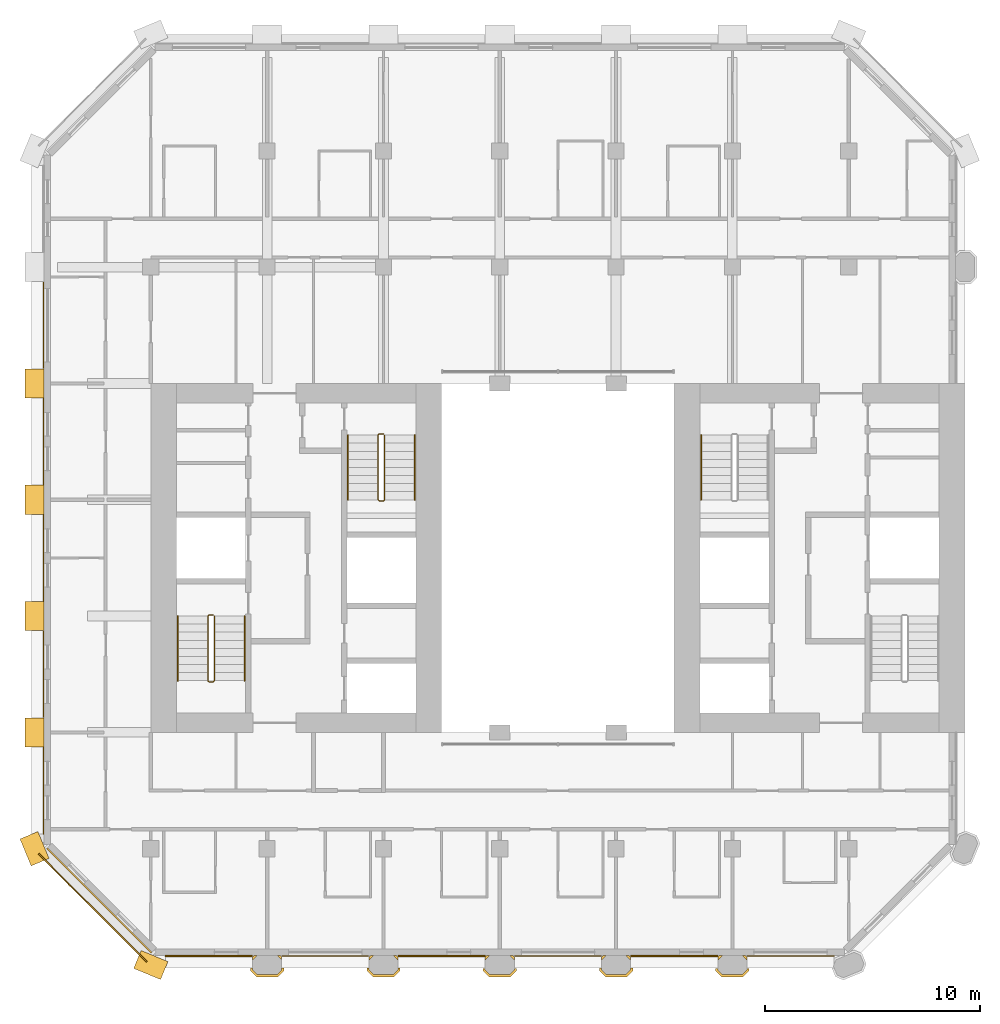
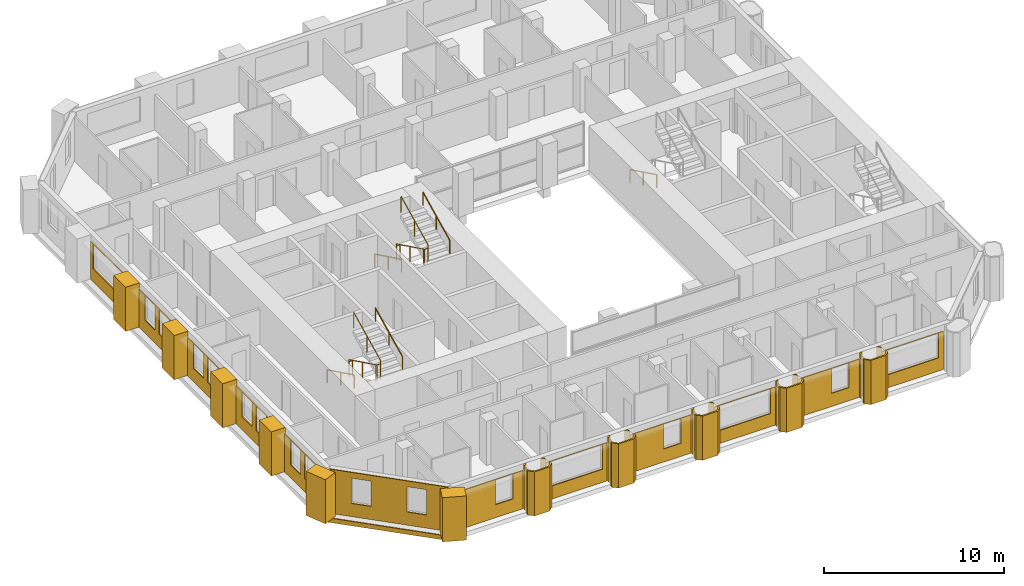
# One storey, part 12 of 13: 34 coverings, 7 railings.
"""IFC4 building model written with IfcOpenShell, lengths in metres."""

from ifc_helpers import new_model, si_unit, direction, frame, frame_2d, origin, origin_2d, place, context, subcontext, project, spatial, polyline, rectangle, circle, outline, extrude, material, layer, layer_set, type_object, element, save


model = new_model("IFC4")

# Units and contexts
model_context = context("Model", 3, precision=1e-05, world=origin(), true_north=direction((0.0, 1.0)))
body_context = subcontext(model_context, "Body", "Model", "MODEL_VIEW")
ifc_project = project(units=[si_unit("LENGTHUNIT", "METRE"), si_unit("AREAUNIT", "SQUARE_METRE"), si_unit("VOLUMEUNIT", "CUBIC_METRE"), si_unit("PLANEANGLEUNIT", "RADIAN"), si_unit("MASSUNIT", "GRAM", prefix="KILO")], contexts=[model_context])

# Site, building, storey
site_placement = place(None, origin())
site = spatial("IfcSite", under=ifc_project, at=site_placement, CompositionType="ELEMENT")
building_placement = place(site_placement, origin())
building = spatial("IfcBuilding", under=site, at=building_placement, Name="Tabaq Tower and Sports Hall", CompositionType="ELEMENT")
storey_placement = place(building_placement, frame((0.0, 0.0, 210.39990234375)))
storey = spatial("IfcBuildingStorey", under=building, at=storey_placement, Name="L52", CompositionType="ELEMENT", Elevation=210.39990234375)

# Coverings
ifc_material_1 = material(Name="Precast concrete C60/75", Category="concrete")
ifc_layer_1 = layer(ifc_material_1, 0.10009765625)
ifc_layer_set_1 = layer_set([ifc_layer_1], Name="Column cladding 100")
covering_type_1 = type_object("IfcCoveringType", Name="Column cladding 100", PredefinedType="CLADDING", material=ifc_layer_set_1)
covering_1_placement = place(storey_placement, origin())
element("IfcCovering", 1, at=covering_1_placement, inside=storey, type_object=covering_type_1, Name="Column cladding L52 PC-3B-H3", PredefinedType="CLADDING", context=body_context, shape_type="SweptSolid", body=[
    extrude(outline(polyline([(10.025390625, 5.249755859375), (10.124755859375, 5.249755859375), (10.124755859375, 5.1748046875), (10.349853515625, 4.94970703125), (11.250244140625, 4.94970703125), (11.475341796875, 5.1748046875), (11.475341796875, 5.249755859375), (11.57470703125, 5.249755859375), (11.57470703125, 5.1337890625), (11.291259765625, 4.850341796875), (10.30859375, 4.850341796875), (10.025390625, 5.1337890625), (10.025390625, 5.249755859375)])), origin(), (0.0, 0.0, 1.0), 3.0),
])
covering_2_placement = place(storey_placement, origin())
element("IfcCovering", 2, at=covering_2_placement, inside=storey, type_object=covering_type_1, Name="Column cladding L52 PC-3B-H3 2", PredefinedType="CLADDING", context=body_context, shape_type="SweptSolid", body=[
    extrude(outline(polyline([(10.208740234375, 5.849609375), (10.349365234375, 5.849609375), (10.125244140625, 5.625732421875), (10.125244140625, 5.766357421875), (10.208740234375, 5.849609375)])), origin(), (0.0, 0.0, 1.0), 3.0),
])
covering_3_placement = place(storey_placement, origin())
element("IfcCovering", 3, at=covering_3_placement, inside=storey, type_object=covering_type_1, Name="Column cladding L52 PC-3B-H3 3", PredefinedType="CLADDING", context=body_context, shape_type="SweptSolid", body=[
    extrude(outline(polyline([(11.474609375, 5.766357421875), (11.474609375, 5.625732421875), (11.250732421875, 5.849609375), (11.391357421875, 5.849609375), (11.474609375, 5.766357421875)])), origin(), (0.0, 0.0, 1.0), 3.0),
])
covering_4_placement = place(storey_placement, origin())
element("IfcCovering", 4, at=covering_4_placement, inside=storey, type_object=covering_type_1, Name="Column cladding L52 PC-4B-H3", PredefinedType="CLADDING", context=body_context, shape_type="SweptSolid", body=[
    extrude(outline(polyline([(15.42529296875, 5.249755859375), (15.524658203125, 5.249755859375), (15.524658203125, 5.1748046875), (15.749755859375, 4.94970703125), (16.650146484375, 4.94970703125), (16.875244140625, 5.1748046875), (16.875244140625, 5.249755859375), (16.974609375, 5.249755859375), (16.974609375, 5.1337890625), (16.69140625, 4.850341796875), (15.708740234375, 4.850341796875), (15.42529296875, 5.1337890625), (15.42529296875, 5.249755859375)])), origin(), (0.0, 0.0, 1.0), 3.0),
])
covering_5_placement = place(storey_placement, origin())
element("IfcCovering", 5, at=covering_5_placement, inside=storey, type_object=covering_type_1, Name="Column cladding L52 PC-4B-H3 2", PredefinedType="CLADDING", context=body_context, shape_type="SweptSolid", body=[
    extrude(outline(polyline([(16.874755859375, 5.766357421875), (16.874755859375, 5.625732421875), (16.650634765625, 5.849609375), (16.791259765625, 5.849609375), (16.874755859375, 5.766357421875)])), origin(), (0.0, 0.0, 1.0), 3.0),
])
covering_6_placement = place(storey_placement, origin())
element("IfcCovering", 6, at=covering_6_placement, inside=storey, type_object=covering_type_1, Name="Column cladding L52 PC-4B-H3 3", PredefinedType="CLADDING", context=body_context, shape_type="SweptSolid", body=[
    extrude(outline(polyline([(15.608642578125, 5.849609375), (15.749267578125, 5.849609375), (15.525390625, 5.625732421875), (15.525390625, 5.766357421875), (15.608642578125, 5.849609375)])), origin(), (0.0, 0.0, 1.0), 3.0),
])
covering_7_placement = place(storey_placement, origin())
element("IfcCovering", 7, at=covering_7_placement, inside=storey, type_object=covering_type_1, Name="Column cladding L52 PC-5B-H3", PredefinedType="CLADDING", context=body_context, shape_type="SweptSolid", body=[
    extrude(outline(polyline([(20.82568359375, 5.24951171875), (20.92431640625, 5.24951171875), (20.92431640625, 5.1748046875), (21.149658203125, 4.949462890625), (22.05029296875, 4.949462890625), (22.275634765625, 5.1748046875), (22.275634765625, 5.24951171875), (22.37451171875, 5.24951171875), (22.37451171875, 5.1337890625), (22.091064453125, 4.8505859375), (21.10888671875, 4.8505859375), (20.82568359375, 5.1337890625), (20.82568359375, 5.24951171875)])), origin(), (0.0, 0.0, 1.0), 3.0),
])
covering_8_placement = place(storey_placement, origin())
element("IfcCovering", 8, at=covering_8_placement, inside=storey, type_object=covering_type_1, Name="Column cladding L52 PC-5B-H3 2", PredefinedType="CLADDING", context=body_context, shape_type="SweptSolid", body=[
    extrude(outline(polyline([(22.274658203125, 5.766357421875), (22.274658203125, 5.625732421875), (22.05078125, 5.849609375), (22.19140625, 5.849609375), (22.274658203125, 5.766357421875)])), origin(), (0.0, 0.0, 1.0), 3.0),
])
covering_9_placement = place(storey_placement, origin())
element("IfcCovering", 9, at=covering_9_placement, inside=storey, type_object=covering_type_1, Name="Column cladding L52 PC-5B-H3 3", PredefinedType="CLADDING", context=body_context, shape_type="SweptSolid", body=[
    extrude(outline(polyline([(20.925537109375, 5.62646484375), (20.925537109375, 5.76611328125), (21.0087890625, 5.849365234375), (21.1484375, 5.849365234375), (20.925537109375, 5.62646484375)])), origin(), (0.0, 0.0, 1.0), 3.0),
])
covering_10_placement = place(storey_placement, origin())
element("IfcCovering", 10, at=covering_10_placement, inside=storey, type_object=covering_type_1, Name="Column cladding L52 PC-6B-H3", PredefinedType="CLADDING", context=body_context, shape_type="SweptSolid", body=[
    extrude(outline(polyline([(26.225341796875, 5.249755859375), (26.32470703125, 5.249755859375), (26.32470703125, 5.1748046875), (26.5498046875, 4.94970703125), (27.4501953125, 4.94970703125), (27.67529296875, 5.1748046875), (27.67529296875, 5.249755859375), (27.774658203125, 5.249755859375), (27.774658203125, 5.1337890625), (27.4912109375, 4.850341796875), (26.5087890625, 4.850341796875), (26.225341796875, 5.1337890625), (26.225341796875, 5.249755859375)])), origin(), (0.0, 0.0, 1.0), 3.0),
])
covering_11_placement = place(storey_placement, origin())
element("IfcCovering", 11, at=covering_11_placement, inside=storey, type_object=covering_type_1, Name="Column cladding L52 PC-6B-H3 2", PredefinedType="CLADDING", context=body_context, shape_type="SweptSolid", body=[
    extrude(outline(polyline([(26.40869140625, 5.849609375), (26.54931640625, 5.849609375), (26.3251953125, 5.625732421875), (26.3251953125, 5.766357421875), (26.40869140625, 5.849609375)])), origin(), (0.0, 0.0, 1.0), 3.0),
])
covering_12_placement = place(storey_placement, origin())
element("IfcCovering", 12, at=covering_12_placement, inside=storey, type_object=covering_type_1, Name="Column cladding L52 PC-6B-H3 3", PredefinedType="CLADDING", context=body_context, shape_type="SweptSolid", body=[
    extrude(outline(polyline([(27.6748046875, 5.766357421875), (27.6748046875, 5.625732421875), (27.45068359375, 5.849609375), (27.59130859375, 5.849609375), (27.6748046875, 5.766357421875)])), origin(), (0.0, 0.0, 1.0), 3.0),
])
covering_13_placement = place(storey_placement, origin())
element("IfcCovering", 13, at=covering_13_placement, inside=storey, type_object=covering_type_1, Name="Column cladding L52 PC-7B-H3", PredefinedType="CLADDING", context=body_context, shape_type="SweptSolid", body=[
    extrude(outline(polyline([(31.62548828125, 5.24951171875), (31.724365234375, 5.24951171875), (31.724365234375, 5.1748046875), (31.94970703125, 4.949462890625), (32.850341796875, 4.949462890625), (33.07568359375, 5.1748046875), (33.07568359375, 5.24951171875), (33.17431640625, 5.24951171875), (33.17431640625, 5.1337890625), (32.89111328125, 4.8505859375), (31.908935546875, 4.8505859375), (31.62548828125, 5.1337890625), (31.62548828125, 5.24951171875)])), origin(), (0.0, 0.0, 1.0), 3.0),
])
covering_14_placement = place(storey_placement, origin())
element("IfcCovering", 14, at=covering_14_placement, inside=storey, type_object=covering_type_1, Name="Column cladding L52 PC-7B-H3 2", PredefinedType="CLADDING", context=body_context, shape_type="SweptSolid", body=[
    extrude(outline(polyline([(31.80859375, 5.849609375), (31.94921875, 5.849609375), (31.725341796875, 5.625732421875), (31.725341796875, 5.766357421875), (31.80859375, 5.849609375)])), origin(), (0.0, 0.0, 1.0), 3.0),
])
covering_15_placement = place(storey_placement, origin())
element("IfcCovering", 15, at=covering_15_placement, inside=storey, type_object=covering_type_1, Name="Column cladding L52 PC-7B-H3 3", PredefinedType="CLADDING", context=body_context, shape_type="SweptSolid", body=[
    extrude(outline(polyline([(33.074462890625, 5.62646484375), (32.8515625, 5.849365234375), (32.9912109375, 5.849365234375), (33.074462890625, 5.76611328125), (33.074462890625, 5.62646484375)])), origin(), (0.0, 0.0, 1.0), 3.0),
])
ifc_material_2 = material(Name="Precast concrete C60/75", Category="concrete")
ifc_layer_2 = layer(ifc_material_2, 0.06005859375)
ifc_layer_set_2 = layer_set([ifc_layer_2], Name="Edge beam cladding 60")
covering_type_2 = type_object("IfcCoveringType", Name="Edge beam cladding 60", PredefinedType="CLADDING", material=ifc_layer_set_2)
covering_16_placement = place(storey_placement, frame((0.18994140625, 10.567626953125, -0.2998046875), z_axis=(0.0, 0.0, 1.0), x_axis=(0.707106781187, -0.707106781187, 0.0)))
element("IfcCovering", 16, at=covering_16_placement, inside=storey, type_object=covering_type_2, Name="Edge beam cladding L52 5", PredefinedType="CLADDING", context=body_context, shape_type="SweptSolid", body=[
    extrude(rectangle(XDim=7.087890625, YDim=0.06005859375, at=frame_2d((3.5439453125, 0.0))), origin(), (0.0, 0.0, 1.0), 0.2998046875),
])
ifc_material_3 = material(Name="White precast concrete C60/75", Category="concrete")
covering_type_3 = type_object("IfcCoveringType", Name="Pier cladding hung 1350x900", PredefinedType="CLADDING", material=ifc_material_3)
for number, where, z_axis, x_axis, name in (
    (17, (-0.25830078125, 11.423583984375, 0.0), (0.0, 0.0, 1.0), (0.382649923473, -0.923893411637, 0.0), "Hung pier cladding 0/2"),
    (18, (0.0, 16.875, 0.0), (0.0, 0.0, 1.0), (0.0, -1.0, 0.0), "Hung pier cladding 0/3"),
):
    element("IfcCovering", number, at=place(storey_placement, frame(where, z_axis=z_axis, x_axis=x_axis)), inside=storey, type_object=covering_type_3, Name=name, PredefinedType="CLADDING", context=body_context, shape_type="SweptSolid", body=[
        extrude(rectangle(XDim=1.35009765625, YDim=0.89990234375, at=frame_2d((0.675048828125, 0.0))), origin(), (0.0, 0.0, 1.0), 3.0),
    ])
covering_17_placement = place(storey_placement, frame((0.0, 22.27490234375, 0.0), z_axis=(0.0, 0.0, 1.0), x_axis=(0.0, -1.0, 0.0)))
element("IfcCovering", 19, at=covering_17_placement, inside=storey, type_object=covering_type_3, Name="Hung pier cladding 0/4", PredefinedType="CLADDING", context=body_context, shape_type="SweptSolid", body=[
    extrude(rectangle(XDim=1.349853515625, YDim=0.89990234375, at=frame_2d((0.6748046875, 0.0))), origin(), (0.0, 0.0, 1.0), 3.0),
])
covering_18_placement = place(storey_placement, frame((0.0, 27.675048828125, 0.0), z_axis=(0.0, 0.0, 1.0), x_axis=(0.0, -1.0, 0.0)))
element("IfcCovering", 20, at=covering_18_placement, inside=storey, type_object=covering_type_3, Name="Hung pier cladding 0/5", PredefinedType="CLADDING", context=body_context, shape_type="SweptSolid", body=[
    extrude(rectangle(XDim=1.35009765625, YDim=0.89990234375, at=frame_2d((0.675048828125, 0.0))), origin(), (0.0, 0.0, 1.0), 3.0),
])
covering_19_placement = place(storey_placement, frame((0.0, 33.074951171875, 0.0), z_axis=(0.0, 0.0, 1.0), x_axis=(0.0, -1.0, 0.0)))
element("IfcCovering", 21, at=covering_19_placement, inside=storey, type_object=covering_type_3, Name="Hung pier cladding 0/6", PredefinedType="CLADDING", context=body_context, shape_type="SweptSolid", body=[
    extrude(rectangle(XDim=1.349853515625, YDim=0.89990234375, at=frame_2d((0.6748046875, 0.0))), origin(), (0.0, 0.0, 1.0), 3.0),
])
covering_20_placement = place(storey_placement, frame((4.7763671875, 5.658203125, 0.0), z_axis=(0.0, 0.0, 1.0), x_axis=(0.923893411637, -0.382649923473, 0.0)))
element("IfcCovering", 22, at=covering_20_placement, inside=storey, type_object=covering_type_3, Name="Hung pier cladding 1/1", PredefinedType="CLADDING", context=body_context, shape_type="SweptSolid", body=[
    extrude(rectangle(XDim=1.35009765625, YDim=0.89990234375, at=frame_2d((0.675048828125, 0.0))), origin(), (0.0, 0.0, 1.0), 3.0),
])

# Railings
ifc_material_4 = material(Name="Stainless steel", Category="steel")
railing_type_1 = type_object("IfcRailingType", Name="Stair guard", PredefinedType="GUARDRAIL", material=ifc_material_4)
railing_1_placement = place(storey_placement, frame((8.300048828125, 21.64990234375, 0.0)))
element("IfcRailing", 23, at=railing_1_placement, inside=storey, type_object=railing_type_1, Name="L52 ST1 stair guard 1", PredefinedType="GUARDRAIL", context=body_context, shape_type="SweptSolid", body=[
    extrude(circle(Radius=0.02392578125, at=origin_2d()), frame((0.0, 0.0, 1.076171875), z_axis=(-1.0, 0.0, 0.0), x_axis=(0.0, -1.0, 0.0)), (0.0, 0.0, 1.0), 0.199951171875),
    extrude(circle(Radius=0.02392578125, at=origin_2d()), frame((-0.199951171875, 0.0, 1.076171875), z_axis=(-0.254733673405, -0.25349107012, 0.933195066962), x_axis=(0.705375805398, -0.708833529934, 0.0)), (0.0, 0.0, 1.0), 0.196533203125),
    extrude(circle(Radius=0.02392578125, at=origin_2d()), frame((-0.25, -0.0498046875, 1.25927734375), z_axis=(0.0, -0.898368975038, 0.439241601728), x_axis=(1.0, 0.0, 0.0)), (0.0, 0.0, 1.0), 3.33935546875),
    extrude(circle(Radius=0.02392578125, at=origin_2d()), frame((-0.25, -3.0498046875, 2.72607421875), z_axis=(0.707106781187, -0.707106781187, 0.0), x_axis=(0.707106781187, 0.707106781187, 0.0)), (0.0, 0.0, 1.0), 0.07080078125),
    extrude(circle(Radius=0.02392578125, at=origin_2d()), frame((-0.199951171875, -3.099853515625, 2.72607421875), z_axis=(1.0, 0.0, 0.0), x_axis=(0.0, 1.0, 0.0)), (0.0, 0.0, 1.0), 0.199951171875),
    extrude(circle(Radius=0.02392578125, at=origin_2d()), frame((0.0, -3.099853515625, 2.72607421875), z_axis=(0.254653276557, 0.254653276557, 0.932900539971), x_axis=(-0.707106781187, 0.707106781187, 0.0)), (0.0, 0.0, 1.0), 0.196533203125),
    extrude(circle(Radius=0.02392578125, at=origin_2d()), frame((0.050048828125, -3.0498046875, 2.90966796875), z_axis=(0.0, 0.898397823093, 0.439182594671), x_axis=(-1.0, 0.0, 0.0)), (0.0, 0.0, 1.0), 3.33935546875),
    extrude(circle(Radius=0.02099609375, at=origin_2d()), origin(), (0.0, 0.0, 1.0), 1.052001953125),
    extrude(circle(Radius=0.02099609375, at=origin_2d()), frame((-0.199951171875, 0.0, 0.0)), (0.0, 0.0, 1.0), 1.052001953125),
    extrude(circle(Radius=0.02099609375, at=origin_2d()), frame((-0.25, -0.0498046875, 0.183349609375)), (0.0, 0.0, 1.0), 1.052001953125),
    extrude(circle(Radius=0.02099609375, at=origin_2d()), frame((-0.25, -1.5498046875, 0.916748046875)), (0.0, 0.0, 1.0), 1.052001953125),
    extrude(circle(Radius=0.02099609375, at=origin_2d()), frame((-0.25, -3.0498046875, 1.650146484375)), (0.0, 0.0, 1.0), 1.052001953125),
    extrude(circle(Radius=0.02099609375, at=origin_2d()), frame((-0.199951171875, -3.099853515625, 1.650146484375)), (0.0, 0.0, 1.0), 1.052001953125),
    extrude(circle(Radius=0.02099609375, at=origin_2d()), frame((0.0, -3.099853515625, 1.650146484375)), (0.0, 0.0, 1.0), 1.052001953125),
    extrude(circle(Radius=0.02099609375, at=origin_2d()), frame((0.050048828125, -3.0498046875, 1.83349609375)), (0.0, 0.0, 1.0), 1.052001953125),
    extrude(circle(Radius=0.02099609375, at=origin_2d()), frame((0.050048828125, -1.5498046875, 2.56689453125)), (0.0, 0.0, 1.0), 1.052001953125),
    extrude(circle(Radius=0.02099609375, at=origin_2d()), frame((0.050048828125, -0.0498046875, 3.300048828125)), (0.0, 0.0, 1.0), 1.052001953125),
])
railing_2_placement = place(storey_placement, frame((16.199951171875, 30.050048828125, 0.0)))
element("IfcRailing", 24, at=railing_2_placement, inside=storey, type_object=railing_type_1, Name="L52 ST2 stair guard 1", PredefinedType="GUARDRAIL", context=body_context, shape_type="SweptSolid", body=[
    extrude(circle(Radius=0.02392578125, at=origin_2d()), frame((0.0, 0.0, 1.076171875), z_axis=(-1.0, 0.0, 0.0), x_axis=(0.0, -1.0, 0.0)), (0.0, 0.0, 1.0), 0.199951171875),
    extrude(circle(Radius=0.02392578125, at=origin_2d()), frame((-0.199951171875, 0.0, 1.076171875), z_axis=(-0.254653276557, -0.254653276557, 0.932900539971), x_axis=(0.707106781187, -0.707106781187, 0.0)), (0.0, 0.0, 1.0), 0.196533203125),
    extrude(circle(Radius=0.02392578125, at=origin_2d()), frame((-0.25, -0.050048828125, 1.25927734375), z_axis=(0.0, -0.898368975038, 0.439241601728), x_axis=(1.0, 0.0, 0.0)), (0.0, 0.0, 1.0), 3.33935546875),
    extrude(circle(Radius=0.02392578125, at=origin_2d()), frame((-0.25, -3.050048828125, 2.72607421875), z_axis=(0.707106781187, -0.707106781187, 0.0), x_axis=(0.707106781187, 0.707106781187, 0.0)), (0.0, 0.0, 1.0), 0.07080078125),
    extrude(circle(Radius=0.02392578125, at=origin_2d()), frame((-0.199951171875, -3.10009765625, 2.72607421875), z_axis=(1.0, 0.0, 0.0), x_axis=(0.0, 1.0, 0.0)), (0.0, 0.0, 1.0), 0.199951171875),
    extrude(circle(Radius=0.02392578125, at=origin_2d()), frame((0.0, -3.10009765625, 2.72607421875), z_axis=(0.254653276557, 0.254653276557, 0.932900539971), x_axis=(-0.707106781187, 0.707106781187, 0.0)), (0.0, 0.0, 1.0), 0.196533203125),
    extrude(circle(Radius=0.02392578125, at=origin_2d()), frame((0.050048828125, -3.050048828125, 2.90966796875), z_axis=(0.0, 0.898397823093, 0.439182594671), x_axis=(-1.0, 0.0, 0.0)), (0.0, 0.0, 1.0), 3.33935546875),
    extrude(circle(Radius=0.02099609375, at=origin_2d()), origin(), (0.0, 0.0, 1.0), 1.052001953125),
    extrude(circle(Radius=0.02099609375, at=origin_2d()), frame((-0.199951171875, 0.0, 0.0)), (0.0, 0.0, 1.0), 1.052001953125),
    extrude(circle(Radius=0.02099609375, at=origin_2d()), frame((-0.25, -0.050048828125, 0.183349609375)), (0.0, 0.0, 1.0), 1.052001953125),
    extrude(circle(Radius=0.02099609375, at=origin_2d()), frame((-0.25, -1.550048828125, 0.916748046875)), (0.0, 0.0, 1.0), 1.052001953125),
    extrude(circle(Radius=0.02099609375, at=origin_2d()), frame((-0.25, -3.050048828125, 1.650146484375)), (0.0, 0.0, 1.0), 1.052001953125),
    extrude(circle(Radius=0.02099609375, at=origin_2d()), frame((-0.199951171875, -3.10009765625, 1.650146484375)), (0.0, 0.0, 1.0), 1.052001953125),
    extrude(circle(Radius=0.02099609375, at=origin_2d()), frame((0.0, -3.10009765625, 1.650146484375)), (0.0, 0.0, 1.0), 1.052001953125),
    extrude(circle(Radius=0.02099609375, at=origin_2d()), frame((0.050048828125, -3.050048828125, 1.83349609375)), (0.0, 0.0, 1.0), 1.052001953125),
    extrude(circle(Radius=0.02099609375, at=origin_2d()), frame((0.050048828125, -1.550048828125, 2.56689453125)), (0.0, 0.0, 1.0), 1.052001953125),
    extrude(circle(Radius=0.02099609375, at=origin_2d()), frame((0.050048828125, -0.050048828125, 3.300048828125)), (0.0, 0.0, 1.0), 1.052001953125),
])
ifc_material_5 = material(Name="Stainless steel", Category="steel")
railing_type_2 = type_object("IfcRailingType", Name="Stair handrail", PredefinedType="HANDRAIL", material=ifc_material_5)
railing_3_placement = place(storey_placement, frame((6.64990234375, 21.60009765625, 0.183349609375)))
element("IfcRailing", 25, at=railing_3_placement, inside=storey, type_object=railing_type_2, Name="L52 ST1 stair handrail 1", PredefinedType="HANDRAIL", context=body_context, shape_type="SweptSolid", body=[
    extrude(circle(Radius=0.02392578125, at=origin_2d()), frame((0.0, 0.0, 0.8759765625), z_axis=(0.0, -0.898368975038, 0.439241601728), x_axis=(1.0, 0.0, 0.0)), (0.0, 0.0, 1.0), 3.33935546875),
    extrude(circle(Radius=0.02099609375, at=origin_2d()), origin(), (0.0, 0.0, 1.0), 0.851806640625),
    extrude(circle(Radius=0.02099609375, at=origin_2d()), frame((0.0, -1.5, 0.7333984375)), (0.0, 0.0, 1.0), 0.851806640625),
    extrude(circle(Radius=0.02099609375, at=origin_2d()), frame((0.0, -3.0, 1.466796875)), (0.0, 0.0, 1.0), 0.851806640625),
])
railing_4_placement = place(storey_placement, frame((9.75, 18.60009765625, 1.83349609375)))
element("IfcRailing", 26, at=railing_4_placement, inside=storey, type_object=railing_type_2, Name="L52 ST1 stair handrail 2", PredefinedType="HANDRAIL", context=body_context, shape_type="SweptSolid", body=[
    extrude(circle(Radius=0.02392578125, at=origin_2d()), frame((0.0, 0.0, 0.8759765625), z_axis=(0.0, 0.898397823093, 0.439182594671), x_axis=(-1.0, 0.0, 0.0)), (0.0, 0.0, 1.0), 3.33935546875),
    extrude(circle(Radius=0.02099609375, at=origin_2d()), origin(), (0.0, 0.0, 1.0), 0.851806640625),
    extrude(circle(Radius=0.02099609375, at=origin_2d()), frame((0.0, 1.5, 0.7333984375)), (0.0, 0.0, 1.0), 0.851806640625),
    extrude(circle(Radius=0.02099609375, at=origin_2d()), frame((0.0, 3.0, 1.466552734375)), (0.0, 0.0, 1.0), 0.851806640625),
])
railing_5_placement = place(storey_placement, frame((14.550048828125, 30.0, 0.183349609375)))
element("IfcRailing", 27, at=railing_5_placement, inside=storey, type_object=railing_type_2, Name="L52 ST2 stair handrail 1", PredefinedType="HANDRAIL", context=body_context, shape_type="SweptSolid", body=[
    extrude(circle(Radius=0.02392578125, at=origin_2d()), frame((0.0, 0.0, 0.8759765625), z_axis=(0.0, -0.898368975038, 0.439241601728), x_axis=(1.0, 0.0, 0.0)), (0.0, 0.0, 1.0), 3.33935546875),
    extrude(circle(Radius=0.02099609375, at=origin_2d()), origin(), (0.0, 0.0, 1.0), 0.851806640625),
    extrude(circle(Radius=0.02099609375, at=origin_2d()), frame((0.0, -1.5, 0.7333984375)), (0.0, 0.0, 1.0), 0.851806640625),
    extrude(circle(Radius=0.02099609375, at=origin_2d()), frame((0.0, -3.0, 1.466796875)), (0.0, 0.0, 1.0), 0.851806640625),
])
railing_6_placement = place(storey_placement, frame((17.64990234375, 27.0, 1.83349609375)))
element("IfcRailing", 28, at=railing_6_placement, inside=storey, type_object=railing_type_2, Name="L52 ST2 stair handrail 2", PredefinedType="HANDRAIL", context=body_context, shape_type="SweptSolid", body=[
    extrude(circle(Radius=0.02392578125, at=origin_2d()), frame((0.0, 0.0, 0.8759765625), z_axis=(0.0, 0.898397823093, 0.439182594671), x_axis=(-1.0, 0.0, 0.0)), (0.0, 0.0, 1.0), 3.33935546875),
    extrude(circle(Radius=0.02099609375, at=origin_2d()), origin(), (0.0, 0.0, 1.0), 0.851806640625),
    extrude(circle(Radius=0.02099609375, at=origin_2d()), frame((0.0, 1.5, 0.7333984375)), (0.0, 0.0, 1.0), 0.851806640625),
    extrude(circle(Radius=0.02099609375, at=origin_2d()), frame((0.0, 3.0, 1.466552734375)), (0.0, 0.0, 1.0), 0.851806640625),
])
railing_7_placement = place(storey_placement, frame((30.949951171875, 30.0, 0.183349609375)))
element("IfcRailing", 29, at=railing_7_placement, inside=storey, type_object=railing_type_2, Name="L52 ST4 stair handrail 1", PredefinedType="HANDRAIL", context=body_context, shape_type="SweptSolid", body=[
    extrude(circle(Radius=0.02392578125, at=origin_2d()), frame((0.0, 0.0, 0.8759765625), z_axis=(0.0, -0.898368975038, 0.439241601728), x_axis=(1.0, 0.0, 0.0)), (0.0, 0.0, 1.0), 3.33935546875),
    extrude(circle(Radius=0.02099609375, at=origin_2d()), origin(), (0.0, 0.0, 1.0), 0.851806640625),
    extrude(circle(Radius=0.02099609375, at=origin_2d()), frame((0.0, -1.5, 0.7333984375)), (0.0, 0.0, 1.0), 0.851806640625),
    extrude(circle(Radius=0.02099609375, at=origin_2d()), frame((0.0, -3.0, 1.466796875)), (0.0, 0.0, 1.0), 0.851806640625),
])

# Coverings
ifc_material_6 = material(Name="Precast concrete C60/75", Category="concrete")
ifc_layer_3 = layer(ifc_material_6, 0.06005859375)
ifc_layer_set_3 = layer_set([ifc_layer_3], Name="White precast cladding panel 60 C60/75")
covering_type_4 = type_object("IfcCoveringType", Name="White precast cladding panel 60 C60/75", PredefinedType="CLADDING", material=ifc_layer_set_3)
covering_21_placement = place(storey_placement, frame((6.06494140625, 5.820068359375, 0.0), z_axis=(0.0, 0.0, 1.0), x_axis=(1.0, 0.0, 0.0)))
element("IfcCovering", 30, at=covering_21_placement, inside=storey, type_object=covering_type_4, Name="White precast cladding panel L52 wall00", PredefinedType="CLADDING", context=body_context, shape_type="SweptSolid", body=[
    extrude(outline(polyline([(0.0, 0.0), (4.050048828125, 0.0), (4.050048828125, 2.590087890625), (0.0, 2.590087890625), (0.0, 0.0)]), holes=[polyline([(3.39501953125, 0.89013671875), (2.27490234375, 0.89013671875), (2.27490234375, 2.56005859375), (3.39501953125, 2.56005859375), (3.39501953125, 0.89013671875)])]), frame((0.0, 0.030029296875, 0.0), z_axis=(0.0, -1.0, 0.0), x_axis=(1.0, 0.0, 0.0)), (0.0, 0.0, 1.0), 0.06005859375),
])
covering_22_placement = place(storey_placement, frame((11.485107421875, 5.820068359375, 0.0), z_axis=(0.0, 0.0, 1.0), x_axis=(1.0, 0.0, 0.0)))
element("IfcCovering", 31, at=covering_22_placement, inside=storey, type_object=covering_type_4, Name="White precast cladding panel L52 wall00 2", PredefinedType="CLADDING", context=body_context, shape_type="SweptSolid", body=[
    extrude(outline(polyline([(0.0, 0.0), (4.02978515625, 0.0), (4.02978515625, 2.590087890625), (0.0, 2.590087890625), (0.0, 0.0)]), holes=[polyline([(3.72509765625, 0.89013671875), (0.304931640625, 0.89013671875), (0.304931640625, 2.56005859375), (3.72509765625, 2.56005859375), (3.72509765625, 0.89013671875)])]), frame((0.0, 0.030029296875, 0.0), z_axis=(0.0, -1.0, 0.0), x_axis=(1.0, 0.0, 0.0)), (0.0, 0.0, 1.0), 0.06005859375),
])
covering_23_placement = place(storey_placement, frame((16.885009765625, 5.820068359375, 0.0), z_axis=(0.0, 0.0, 1.0), x_axis=(1.0, 0.0, 0.0)))
element("IfcCovering", 32, at=covering_23_placement, inside=storey, type_object=covering_type_4, Name="White precast cladding panel L52 wall00 3", PredefinedType="CLADDING", context=body_context, shape_type="SweptSolid", body=[
    extrude(outline(polyline([(0.0, 0.0), (4.030029296875, 0.0), (4.030029296875, 2.590087890625), (0.0, 2.590087890625), (0.0, 0.0)]), holes=[polyline([(3.375, 0.89013671875), (2.2548828125, 0.89013671875), (2.2548828125, 2.56005859375), (3.375, 2.56005859375), (3.375, 0.89013671875)])]), frame((0.0, 0.030029296875, 0.0), z_axis=(0.0, -1.0, 0.0), x_axis=(1.0, 0.0, 0.0)), (0.0, 0.0, 1.0), 0.06005859375),
])
covering_24_placement = place(storey_placement, frame((22.284912109375, 5.820068359375, 0.0), z_axis=(0.0, 0.0, 1.0), x_axis=(1.0, 0.0, 0.0)))
element("IfcCovering", 33, at=covering_24_placement, inside=storey, type_object=covering_type_4, Name="White precast cladding panel L52 wall00 4", PredefinedType="CLADDING", context=body_context, shape_type="SweptSolid", body=[
    extrude(outline(polyline([(0.0, 0.0), (4.030029296875, 0.0), (4.030029296875, 2.590087890625), (0.0, 2.590087890625), (0.0, 0.0)]), holes=[polyline([(3.72509765625, 0.89013671875), (0.304931640625, 0.89013671875), (0.304931640625, 2.56005859375), (3.72509765625, 2.56005859375), (3.72509765625, 0.89013671875)])]), frame((0.0, 0.030029296875, 0.0), z_axis=(0.0, -1.0, 0.0), x_axis=(1.0, 0.0, 0.0)), (0.0, 0.0, 1.0), 0.06005859375),
])
covering_25_placement = place(storey_placement, frame((27.68505859375, 5.820068359375, 0.0), z_axis=(0.0, 0.0, 1.0), x_axis=(1.0, 0.0, 0.0)))
element("IfcCovering", 34, at=covering_25_placement, inside=storey, type_object=covering_type_4, Name="White precast cladding panel L52 wall00 5", PredefinedType="CLADDING", context=body_context, shape_type="SweptSolid", body=[
    extrude(outline(polyline([(0.0, 0.0), (4.030029296875, 0.0), (4.030029296875, 2.590087890625), (0.0, 2.590087890625), (0.0, 0.0)]), holes=[polyline([(3.375, 0.89013671875), (2.2548828125, 0.89013671875), (2.2548828125, 2.56005859375), (3.375, 2.56005859375), (3.375, 0.89013671875)])]), frame((0.0, 0.030029296875, 0.0), z_axis=(0.0, -1.0, 0.0), x_axis=(1.0, 0.0, 0.0)), (0.0, 0.0, 1.0), 0.06005859375),
])
covering_26_placement = place(storey_placement, frame((33.0849609375, 5.820068359375, 0.0), z_axis=(0.0, 0.0, 1.0), x_axis=(1.0, 0.0, 0.0)))
element("IfcCovering", 35, at=covering_26_placement, inside=storey, type_object=covering_type_4, Name="White precast cladding panel L52 wall00 6", PredefinedType="CLADDING", context=body_context, shape_type="SweptSolid", body=[
    extrude(outline(polyline([(0.0, 0.0), (4.050048828125, 0.0), (4.050048828125, 2.590087890625), (0.0, 2.590087890625), (0.0, 0.0)]), holes=[polyline([(3.72509765625, 0.89013671875), (0.304931640625, 0.89013671875), (0.304931640625, 2.56005859375), (3.72509765625, 2.56005859375), (3.72509765625, 0.89013671875)])]), frame((0.0, 0.030029296875, 0.0), z_axis=(0.0, -1.0, 0.0), x_axis=(1.0, 0.0, 0.0)), (0.0, 0.0, 1.0), 0.06005859375),
])
covering_27_placement = place(storey_placement, frame((0.419921875, 37.114990234375, 0.0), z_axis=(0.0, 0.0, 1.0), x_axis=(0.0, -1.0, 0.0)))
element("IfcCovering", 36, at=covering_27_placement, inside=storey, type_object=covering_type_4, Name="White precast cladding panel L52 wall06 2", PredefinedType="CLADDING", context=body_context, shape_type="SweptSolid", body=[
    extrude(outline(polyline([(0.0, 0.0), (4.030029296875, 0.0), (4.030029296875, 2.590087890625), (0.0, 2.590087890625), (0.0, 0.0)]), holes=[polyline([(3.72509765625, 0.89013671875), (0.304931640625, 0.89013671875), (0.304931640625, 2.56005859375), (3.72509765625, 2.56005859375), (3.72509765625, 0.89013671875)])]), frame((0.0, 0.030029296875, 0.0), z_axis=(0.0, -1.0, 0.0), x_axis=(1.0, 0.0, 0.0)), (0.0, 0.0, 1.0), 0.06005859375),
])
for number, where, z_axis, x_axis, name in (
    (37, (0.419921875, 31.715087890625, 0.0), (0.0, 0.0, 1.0), (0.0, -1.0, 0.0), "White precast cladding panel L52 wall06 3"),
    (38, (0.419921875, 26.31494140625, 0.0), (0.0, 0.0, 1.0), (0.0, -1.0, 0.0), "White precast cladding panel L52 wall06 4"),
    (39, (0.419921875, 20.9150390625, 0.0), (0.0, 0.0, 1.0), (0.0, -1.0, 0.0), "White precast cladding panel L52 wall06 5"),
):
    element("IfcCovering", number, at=place(storey_placement, frame(where, z_axis=z_axis, x_axis=x_axis)), inside=storey, type_object=covering_type_4, Name=name, PredefinedType="CLADDING", context=body_context, shape_type="SweptSolid", body=[
        extrude(outline(polyline([(0.0, 0.0), (4.030029296875, 0.0), (4.030029296875, 2.590087890625), (0.0, 2.590087890625), (0.0, 0.0)]), holes=[polyline([(0.655029296875, 0.89013671875), (0.655029296875, 2.56005859375), (1.77490234375, 2.56005859375), (1.77490234375, 0.89013671875), (0.655029296875, 0.89013671875)]), polyline([(2.2548828125, 0.89013671875), (2.2548828125, 2.56005859375), (3.375, 2.56005859375), (3.375, 0.89013671875), (2.2548828125, 0.89013671875)])]), frame((0.0, 0.030029296875, 0.0), z_axis=(0.0, -1.0, 0.0), x_axis=(1.0, 0.0, 0.0)), (0.0, 0.0, 1.0), 0.06005859375),
    ])
covering_28_placement = place(storey_placement, frame((0.419921875, 15.514892578125, 0.0), z_axis=(0.0, 0.0, 1.0), x_axis=(0.0, -1.0, 0.0)))
element("IfcCovering", 40, at=covering_28_placement, inside=storey, type_object=covering_type_4, Name="White precast cladding panel L52 wall06 6", PredefinedType="CLADDING", context=body_context, shape_type="SweptSolid", body=[
    extrude(outline(polyline([(0.0, 0.0), (4.0498046875, 0.0), (4.0498046875, 2.590087890625), (0.0, 2.590087890625), (0.0, 0.0)]), holes=[polyline([(0.655029296875, 0.89013671875), (0.655029296875, 2.56005859375), (1.77490234375, 2.56005859375), (1.77490234375, 0.89013671875), (0.655029296875, 0.89013671875)]), polyline([(2.2548828125, 0.89013671875), (2.2548828125, 2.56005859375), (3.375, 2.56005859375), (3.375, 0.89013671875), (2.2548828125, 0.89013671875)])]), frame((0.0, 0.030029296875, 0.0), z_axis=(0.0, -1.0, 0.0), x_axis=(1.0, 0.0, 0.0)), (0.0, 0.0, 1.0), 0.06005859375),
])
covering_29_placement = place(storey_placement, frame((0.57177734375, 10.822265625, 0.0), z_axis=(0.0, 0.0, 1.0), x_axis=(0.707106781187, -0.707106781187, 0.0)))
element("IfcCovering", 41, at=covering_29_placement, inside=storey, type_object=covering_type_4, Name="White precast cladding panel L52 wall07", PredefinedType="CLADDING", context=body_context, shape_type="SweptSolid", body=[
    extrude(outline(polyline([(0.0, 0.0), (6.85986328125, 0.0), (6.85986328125, 3.0), (0.0, 3.0), (0.0, 0.0)]), holes=[polyline([(1.269775390625, 2.610107421875), (2.389892578125, 2.610107421875), (2.389892578125, 0.89013671875), (1.269775390625, 0.89013671875), (1.269775390625, 2.610107421875)]), polyline([(4.4697265625, 2.610107421875), (5.58984375, 2.610107421875), (5.58984375, 0.89013671875), (4.4697265625, 0.89013671875), (4.4697265625, 2.610107421875)])]), frame((0.0, 0.030029296875, 0.0), z_axis=(0.0, -1.0, 0.0), x_axis=(1.0, 0.0, 0.0)), (0.0, 0.0, 1.0), 0.06005859375),
])

save(model, "model.ifc")
